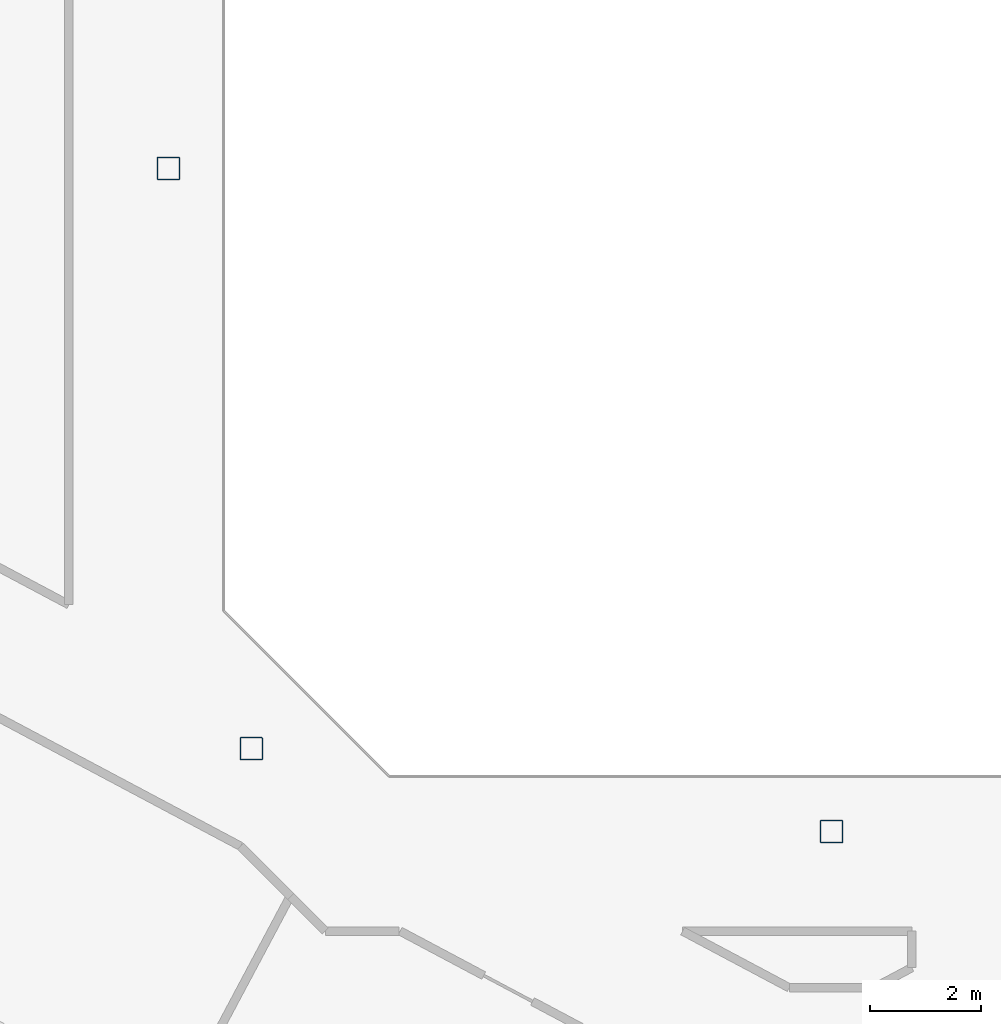
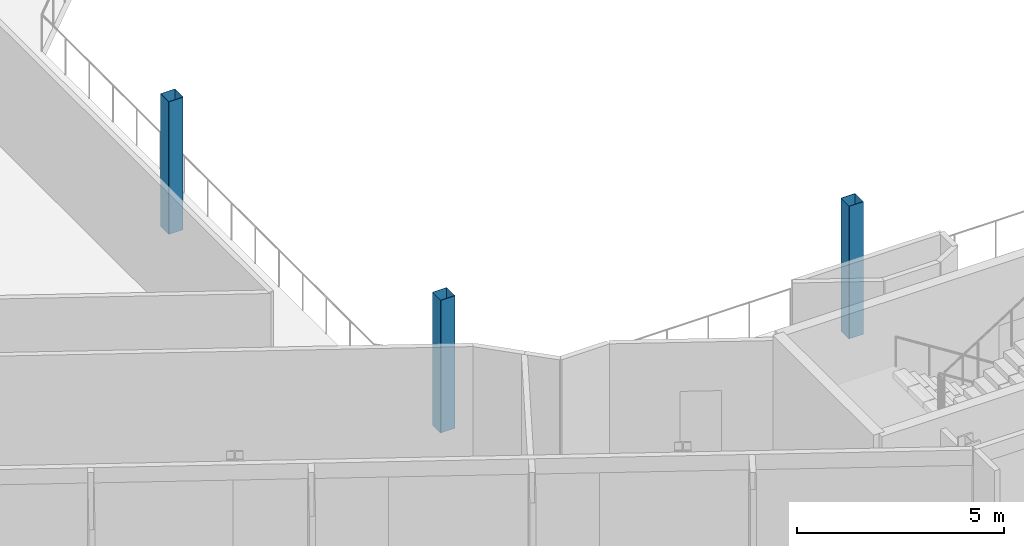
# One storey, part 2 of 26: 3 columns.
"""IFC4 building model written with IfcOpenShell, lengths in metres."""

import ifcopenshell
import ifcopenshell.guid

model = None  # the IFC model being written
_history = None  # IfcOwnerHistory: only IFC2X3 demands one
_inside = {}  # id of a spatial element -> (the spatial element, [elements in it])
_under = {}  # id of a project, library or spatial element -> (it, [spatial elements below it])
_declared = {}  # id of a project -> (the project, [libraries it declares])
_typed = {}  # id of a type object -> (the type object, [elements of that type])
_made_of = {}  # id of a material, layer set ... -> (it, [elements and type objects made of it])


def new_model(schema):
    """Start an empty IFC model of exactly this schema.

    Asked for "IFC4X3", IfcOpenShell would pick the latest addendum, in which some entities
    have other attributes; the version numbers below select the first issue.
    IFC2X3 requires an IfcOwnerHistory on every rooted entity: one is made here for all.
    """
    global model, _history
    if schema == "IFC4X3":
        model = ifcopenshell.file(schema_version=(4, 3, 0, 0))
    else:
        model = ifcopenshell.file(schema=schema)
    _inside.clear()
    _under.clear()
    _declared.clear()
    _typed.clear()
    _made_of.clear()
    _history = None
    if model.schema == "IFC2X3":
        org = make("IfcOrganization", Name="unknown")
        user = make(
            "IfcPersonAndOrganization",
            ThePerson=make("IfcPerson", FamilyName="unknown"),
            TheOrganization=org,
        )
        app = make(
            "IfcApplication",
            ApplicationDeveloper=org,
            Version="unknown",
            ApplicationFullName="unknown",
            ApplicationIdentifier="unknown",
        )
        _history = make(
            "IfcOwnerHistory",
            OwningUser=user,
            OwningApplication=app,
            ChangeAction="ADDED",
            CreationDate=0,
        )
    return model


def make(cls, **values):
    """One entity of the class cls with the attributes given. An attribute that is None is left unset."""
    return model.create_entity(
        cls, **{name: value for name, value in values.items() if value is not None}
    )


def rooted(cls, **values):
    """An entity with a GlobalId (a new one), such as an element, a storey or a relation."""
    return make(cls, GlobalId=ifcopenshell.guid.new(), OwnerHistory=_history, **values)


def si_unit(unit_type, name, prefix=None):
    """IfcSIUnit, for example si_unit("LENGTHUNIT", "METRE", prefix="MILLI")."""
    return make("IfcSIUnit", UnitType=unit_type, Prefix=prefix, Name=name)


def assignment(units):
    """IfcUnitAssignment: the units of a project."""
    return None if units is None else make("IfcUnitAssignment", Units=units)


def point(xyz):
    """IfcCartesianPoint."""
    return None if xyz is None else make("IfcCartesianPoint", Coordinates=xyz)


def direction(xyz):
    """IfcDirection."""
    return None if xyz is None else make("IfcDirection", DirectionRatios=xyz)


def frame(location, z_axis=None, x_axis=None):
    """IfcAxis2Placement3D, a coordinate frame: its origin and axes. An axis left out is left unset."""
    return make(
        "IfcAxis2Placement3D",
        Location=point(location),
        Axis=direction(z_axis),
        RefDirection=direction(x_axis),
    )


def frame_2d(location, x_axis=None):
    """IfcAxis2Placement2D, a coordinate frame in the plane: its origin and x axis."""
    return make(
        "IfcAxis2Placement2D", Location=point(location), RefDirection=direction(x_axis)
    )


def origin():
    """The frame at (0, 0, 0) with its axes left unset."""
    return frame((0.0, 0.0, 0.0))


def origin_2d():
    """The frame at (0, 0) in the plane with its x axis left unset."""
    return frame_2d((0.0, 0.0))


def place(relative_to, where):
    """IfcLocalPlacement: puts the frame where relative to a parent placement (None: the world)."""
    return make(
        "IfcLocalPlacement", PlacementRelTo=relative_to, RelativePlacement=where
    )


def context(
    kind, dimensions, precision=None, world=None, true_north=None, identifier=None
):
    """IfcGeometricRepresentationContext, for example the 3D "Model" context."""
    return make(
        "IfcGeometricRepresentationContext",
        ContextIdentifier=identifier,
        ContextType=kind,
        CoordinateSpaceDimension=dimensions,
        Precision=precision,
        WorldCoordinateSystem=world,
        TrueNorth=true_north,
    )


def subcontext(parent, identifier, kind, view, scale=None):
    """IfcGeometricRepresentationSubContext, for example "Body" below "Model"."""
    return make(
        "IfcGeometricRepresentationSubContext",
        ContextIdentifier=identifier,
        ContextType=kind,
        ParentContext=parent,
        TargetScale=scale,
        TargetView=view,
    )


def project(units=None, contexts=None):
    """IfcProject with its units and contexts."""
    return rooted(
        "IfcProject",
        Name="project",
        RepresentationContexts=contexts,
        UnitsInContext=assignment(units),
    )


def spatial(cls, under=None, at=None, **own):
    """A site, building, storey or space (cls), placed at a placement, below another one or the project."""
    s = rooted(cls, ObjectPlacement=at, **own)
    if under is not None:
        _under.setdefault(under.id(), (under, []))[1].append(s)
    return s


def profile(cls, at=None, kind="AREA", **sizes):
    """A parametric profile (cls). Its sizes go by their IFC names, for example OverallWidth=200.0."""
    return make(cls, ProfileType=kind, Position=at, **sizes)


def hollow_rectangle(**sizes):
    """IfcRectangleHollowProfileDef."""
    return profile("IfcRectangleHollowProfileDef", **sizes)


def extrude(swept, where, along, depth):
    """IfcExtrudedAreaSolid: the profile swept, set in the frame where, extruded along a direction by depth."""
    return make(
        "IfcExtrudedAreaSolid",
        SweptArea=swept,
        Position=where,
        ExtrudedDirection=direction(along),
        Depth=depth,
    )


def shape(context_of_items, identifier, shape_type, items):
    """IfcShapeRepresentation: the items that make up one representation, for example the "Body"."""
    return make(
        "IfcShapeRepresentation",
        ContextOfItems=context_of_items,
        RepresentationIdentifier=identifier,
        RepresentationType=shape_type,
        Items=items,
    )


def material(Name=None, Category=None):
    """IfcMaterial."""
    return make("IfcMaterial", Name=Name, Category=Category)


def material_profile(
    of_material, cross_section, Name=None, Category=None, Priority=None
):
    """IfcMaterialProfile: a cross section and its material."""
    return make(
        "IfcMaterialProfile",
        Name=Name,
        Material=of_material,
        Profile=cross_section,
        Priority=Priority,
        Category=Category,
    )


def profile_set(profiles, Name=None, composite=None):
    """IfcMaterialProfileSet."""
    return make(
        "IfcMaterialProfileSet",
        Name=Name,
        MaterialProfiles=profiles,
        CompositeProfile=composite,
    )


def made_of(thing, what):
    """Note that an element or type object is made of a material, layer set ...; save() writes the relation."""
    if what is not None:
        _made_of.setdefault(what.id(), (what, []))[1].append(thing)
    return thing


def type_object(cls, material=None, **own):
    """A type object (cls), such as IfcWallType, which elements share."""
    return made_of(rooted(cls, **own), material)


def element(
    cls,
    number,
    at=None,
    inside=None,
    cuts=None,
    type_object=None,
    material=None,
    context=None,
    identifier="Body",
    shape_type=None,
    held_by="IfcProductDefinitionShape",
    body=None,
    shapes=None,
    **own,
):
    """One element of the class cls, such as IfcWall. Its Tag is "e" and its number.

    at: its placement. inside: the storey or other place that contains it. cuts: it is an
    opening in that element (IfcRelVoidsElement). A single representation is given by context,
    identifier, shape_type and body (its items); several are given by shapes. held_by: the class
    of the entity that holds the representations. save() writes the other relations.
    """
    e = rooted(cls, Tag="e%d" % number, ObjectPlacement=at, **own)
    if body is not None:
        shapes = [shape(context, identifier, shape_type, body)]
    if shapes is not None:
        e.Representation = make(held_by, Representations=shapes)
    if inside is not None:
        _inside.setdefault(inside.id(), (inside, []))[1].append(e)
    if cuts is not None:
        rooted(
            "IfcRelVoidsElement", RelatingBuildingElement=cuts, RelatedOpeningElement=e
        )
    if type_object is not None:
        _typed.setdefault(type_object.id(), (type_object, []))[1].append(e)
    return made_of(e, material)


def aggregate(whole, parts):
    """IfcRelAggregates: a whole, such as a stair, and the parts it consists of."""
    return rooted("IfcRelAggregates", RelatingObject=whole, RelatedObjects=parts)


def save(model, path):
    """Write the relations noted so far, then the file.

    IfcRelAggregates (storeys below a building ...), IfcRelContainedInSpatialStructure (elements
    in a storey), IfcRelDefinesByType, IfcRelAssociatesMaterial and IfcRelDeclares: one each for
    every whole, place, type object, material and project.
    """
    for whole, parts in _under.values():
        aggregate(whole, parts)
    for where, things in _inside.values():
        rooted(
            "IfcRelContainedInSpatialStructure",
            RelatedElements=things,
            RelatingStructure=where,
        )
    for kind, things in _typed.values():
        rooted("IfcRelDefinesByType", RelatedObjects=things, RelatingType=kind)
    for what, things in _made_of.values():
        rooted("IfcRelAssociatesMaterial", RelatedObjects=things, RelatingMaterial=what)
    for by, libraries in _declared.values():
        rooted("IfcRelDeclares", RelatingContext=by, RelatedDefinitions=libraries)
    model.write(path)


model = new_model("IFC4")

# Units and contexts
model_context = context("Model", 3, precision=1e-05, world=origin(), true_north=direction((0.0, 1.0)))
body_context = subcontext(model_context, "Body", "Model", "MODEL_VIEW")
ifc_project = project(units=[si_unit("LENGTHUNIT", "METRE"), si_unit("AREAUNIT", "SQUARE_METRE"), si_unit("VOLUMEUNIT", "CUBIC_METRE"), si_unit("PLANEANGLEUNIT", "RADIAN"), si_unit("MASSUNIT", "GRAM", prefix="KILO")], contexts=[model_context])

# Site, building, storey
site_placement = place(None, origin())
site = spatial("IfcSite", under=ifc_project, at=site_placement, CompositionType="ELEMENT")
building_placement = place(site_placement, origin())
building = spatial("IfcBuilding", under=site, at=building_placement, Name="Cormorant Relay Tower", CompositionType="ELEMENT")
storey_placement = place(building_placement, frame((0.0, 0.0, 312.60009765625)))
storey = spatial("IfcBuildingStorey", under=building, at=storey_placement, Name="L71", CompositionType="ELEMENT", Elevation=312.60009765625)

# Columns
ifc_material = material(Name="Steel ASTM A500 Grade C (Fy 345 MPa)", Category="steel")
ifc_material_profile = material_profile(ifc_material, hollow_rectangle(XDim=0.406494140625, YDim=0.406494140625, WallThickness=0.0087890625, InnerFilletRadius=0.00439453125, OuterFilletRadius=0.01318359375, at=origin_2d()), Name="HSS406x406x9")
ifc_profile_set = profile_set([ifc_material_profile], Name="Steel ASTM A500 Grade C (Fy 345 MPa)")
column_type = type_object("IfcColumnType", Name="Column HSS406x406x9", PredefinedType="COLUMN", material=ifc_profile_set)
for number, where, z_axis, x_axis, name in (
    (1, (0.0, -12.0, 0.0), (0.0, 0.0, 1.0), (1.0, 0.0, 0.0), "Column L71-007"),
    (2, (-10.5, -10.5, 0.0), (0.0, 0.0, 1.0), (1.0, 0.0, 0.0), "Column L71-009"),
    (3, (-12.0, 0.0, 0.0), (0.0, 0.0, 1.0), (1.0, 0.0, 0.0), "Column L71-015"),
):
    element("IfcColumn", number, at=place(storey_placement, frame(where, z_axis=z_axis, x_axis=x_axis)), inside=storey, type_object=column_type, Name=name, PredefinedType="COLUMN", context=body_context, shape_type="SweptSolid", body=[
        extrude(hollow_rectangle(XDim=0.406494140625, YDim=0.406494140625, WallThickness=0.0087890625, InnerFilletRadius=0.00439453125, OuterFilletRadius=0.01318359375, at=origin_2d()), origin(), (0.0, 0.0, 1.0), 3.89990234375),
    ])

save(model, "model.ifc")
